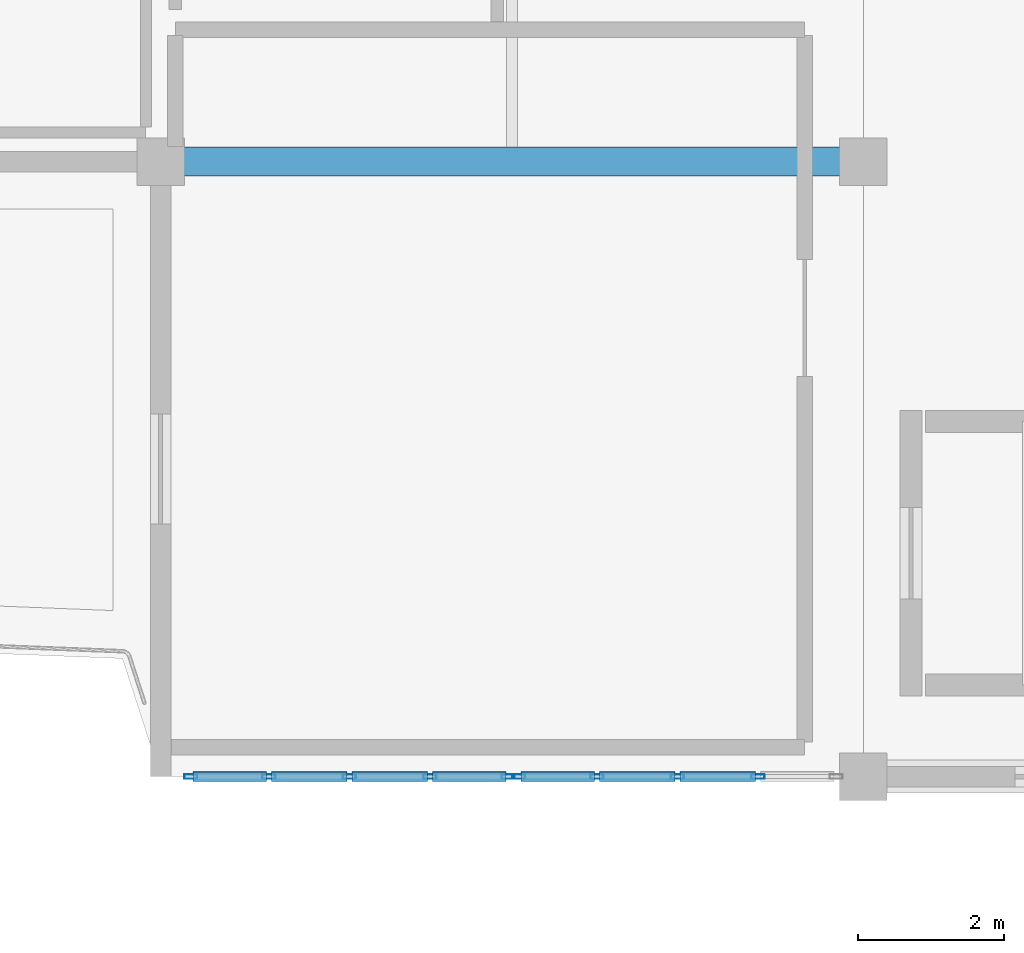
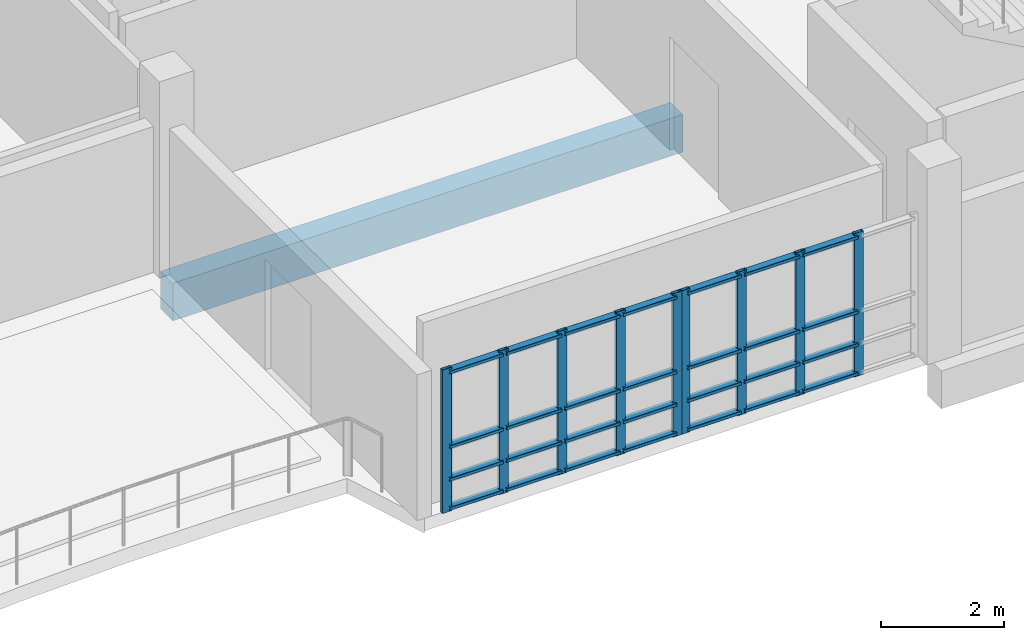
# One storey, part 4 of 25: 37 members, 1 beam, 2 elements without a shape of their own.
"""IFC4 building model written with IfcOpenShell, lengths in metres."""

from ifc_helpers import new_model, si_unit, direction, frame, origin, origin_2d, place, context, subcontext, project, spatial, rectangle, hollow_rectangle, extrude, material, layer, layer_set, material_profile, profile_set, type_object, element, aggregate, save


model = new_model("IFC4")

# Units and contexts
model_context = context("Model", 3, precision=1e-05, world=origin(), true_north=direction((0.0, 1.0)))
body_context = subcontext(model_context, "Body", "Model", "MODEL_VIEW")
ifc_project = project(units=[si_unit("LENGTHUNIT", "METRE"), si_unit("AREAUNIT", "SQUARE_METRE"), si_unit("VOLUMEUNIT", "CUBIC_METRE"), si_unit("PLANEANGLEUNIT", "RADIAN"), si_unit("MASSUNIT", "GRAM", prefix="KILO")], contexts=[model_context])

# Site, building, storey
site_placement = place(None, origin())
site = spatial("IfcSite", under=ifc_project, at=site_placement, CompositionType="ELEMENT")
building_placement = place(site_placement, origin())
building = spatial("IfcBuilding", under=site, at=building_placement, Name="Kisaragi Civic Commons", CompositionType="ELEMENT")
storey_placement = place(building_placement, frame((0.0, 0.0, 13.5)))
storey = spatial("IfcBuildingStorey", under=building, at=storey_placement, Name="L03", CompositionType="ELEMENT", Elevation=13.5)

# Curtain wall, members
ifc_material_1 = material(Name="Thermally broken anodized aluminium and low-E double glazing", Category="aluminium")
ifc_layer = layer(ifc_material_1, 0.179931640625, Name="Thermally broken anodized aluminium and low-E double glazing", Category="aluminium")
ifc_layer_set = layer_set([ifc_layer], Name="Thermally broken anodized aluminium and low-E double glazing")
curtain_wall_type = type_object("IfcCurtainWallType", Name="CW-01", PredefinedType="NOTDEFINED", material=ifc_layer_set)
curtain_wall_1_placement = place(storey_placement, origin())
curtain_wall_1 = element("IfcCurtainWall", 1, at=curtain_wall_1_placement, inside=storey, type_object=curtain_wall_type, Name="L03 curtain wall CW-01 CW-V4-L03-109", PredefinedType="NOTDEFINED")
ifc_material_profile_1 = material_profile(ifc_material_1, hollow_rectangle(XDim=0.06494140625, YDim=0.179931640625, WallThickness=0.00439453125, InnerFilletRadius=0.00439453125, OuterFilletRadius=0.009033203125, at=origin_2d()), Name="CWM-65x180x4.5", Category="aluminium")
ifc_profile_set_1 = profile_set([ifc_material_profile_1], Name="Thermally broken anodized aluminium and low-E double glazing")
member_type_1 = type_object("IfcMemberType", Name="CWM-02", PredefinedType="MULLION", material=ifc_profile_set_1)
member_1_placement = place(storey_placement, frame((122.159912109375, 96.0, 0.0), z_axis=(0.0, 0.0, 1.0), x_axis=(0.0, -1.0, 0.0)))
member_1 = element("IfcMember", 2, at=member_1_placement, type_object=member_type_1, Name="CW-01 mullion 2", PredefinedType="MULLION", context=body_context, shape_type="SweptSolid", body=[
    extrude(hollow_rectangle(XDim=0.06494140625, YDim=0.179931640625, WallThickness=0.00439453125, InnerFilletRadius=0.00439453125, OuterFilletRadius=0.009033203125, at=origin_2d()), origin(), (0.0, 0.0, 1.0), 2.85498046875),
])
member_2_placement = place(storey_placement, frame((121.06005859375, 96.0, 0.0), z_axis=(0.0, 0.0, 1.0), x_axis=(0.0, -1.0, 0.0)))
member_2 = element("IfcMember", 3, at=member_2_placement, type_object=member_type_1, Name="CW-01 mullion 3", PredefinedType="MULLION", context=body_context, shape_type="SweptSolid", body=[
    extrude(hollow_rectangle(XDim=0.06494140625, YDim=0.179931640625, WallThickness=0.00439453125, InnerFilletRadius=0.00439453125, OuterFilletRadius=0.009033203125, at=origin_2d()), origin(), (0.0, 0.0, 1.0), 2.85498046875),
])
member_3_placement = place(storey_placement, frame((119.9599609375, 96.0, 0.0), z_axis=(0.0, 0.0, 1.0), x_axis=(0.0, -1.0, 0.0)))
member_3 = element("IfcMember", 4, at=member_3_placement, type_object=member_type_1, Name="CW-01 mullion 4", PredefinedType="MULLION", context=body_context, shape_type="SweptSolid", body=[
    extrude(hollow_rectangle(XDim=0.06494140625, YDim=0.179931640625, WallThickness=0.00439453125, InnerFilletRadius=0.00439453125, OuterFilletRadius=0.009033203125, at=origin_2d()), origin(), (0.0, 0.0, 1.0), 2.85498046875),
])
member_4_placement = place(storey_placement, frame((118.892578125, 96.0, 0.0), z_axis=(0.0, 0.0, 1.0), x_axis=(0.0, -1.0, 0.0)))
member_4 = element("IfcMember", 5, at=member_4_placement, type_object=member_type_1, Name="CW-01 mullion 5", PredefinedType="MULLION", context=body_context, shape_type="SweptSolid", body=[
    extrude(hollow_rectangle(XDim=0.06494140625, YDim=0.179931640625, WallThickness=0.00439453125, InnerFilletRadius=0.00439453125, OuterFilletRadius=0.009033203125, at=origin_2d()), origin(), (0.0, 0.0, 1.0), 2.85498046875),
])

curtain_wall_2_placement = place(storey_placement, origin())
curtain_wall_2 = element("IfcCurtainWall", 6, at=curtain_wall_2_placement, inside=storey, type_object=curtain_wall_type, Name="L03 curtain wall CW-01 CW-V4-L03-110", PredefinedType="NOTDEFINED")
member_5_placement = place(storey_placement, frame((118.74755859375, 96.0, 0.0), z_axis=(0.0, 0.0, 1.0), x_axis=(0.0, -1.0, 0.0)))
member_5 = element("IfcMember", 7, at=member_5_placement, type_object=member_type_1, Name="CW-01 mullion 1", PredefinedType="MULLION", context=body_context, shape_type="SweptSolid", body=[
    extrude(hollow_rectangle(XDim=0.06494140625, YDim=0.179931640625, WallThickness=0.00439453125, InnerFilletRadius=0.00439453125, OuterFilletRadius=0.009033203125, at=origin_2d()), origin(), (0.0, 0.0, 1.0), 2.85498046875),
])
member_6_placement = place(storey_placement, frame((117.679931640625, 96.0, 0.0), z_axis=(0.0, 0.0, 1.0), x_axis=(0.0, -1.0, 0.0)))
member_6 = element("IfcMember", 8, at=member_6_placement, type_object=member_type_1, Name="CW-01 mullion 2", PredefinedType="MULLION", context=body_context, shape_type="SweptSolid", body=[
    extrude(hollow_rectangle(XDim=0.06494140625, YDim=0.179931640625, WallThickness=0.00439453125, InnerFilletRadius=0.00439453125, OuterFilletRadius=0.009033203125, at=origin_2d()), origin(), (0.0, 0.0, 1.0), 2.85498046875),
])
member_7_placement = place(storey_placement, frame((116.580078125, 96.0, 0.0), z_axis=(0.0, 0.0, 1.0), x_axis=(0.0, -1.0, 0.0)))
member_7 = element("IfcMember", 9, at=member_7_placement, type_object=member_type_1, Name="CW-01 mullion 3", PredefinedType="MULLION", context=body_context, shape_type="SweptSolid", body=[
    extrude(hollow_rectangle(XDim=0.06494140625, YDim=0.179931640625, WallThickness=0.00439453125, InnerFilletRadius=0.00439453125, OuterFilletRadius=0.009033203125, at=origin_2d()), origin(), (0.0, 0.0, 1.0), 2.85498046875),
])
member_8_placement = place(storey_placement, frame((115.47998046875, 96.0, 0.0), z_axis=(0.0, 0.0, 1.0), x_axis=(0.0, -1.0, 0.0)))
member_8 = element("IfcMember", 10, at=member_8_placement, type_object=member_type_1, Name="CW-01 mullion 4", PredefinedType="MULLION", context=body_context, shape_type="SweptSolid", body=[
    extrude(hollow_rectangle(XDim=0.06494140625, YDim=0.179931640625, WallThickness=0.00439453125, InnerFilletRadius=0.00439453125, OuterFilletRadius=0.009033203125, at=origin_2d()), origin(), (0.0, 0.0, 1.0), 2.85498046875),
])
member_9_placement = place(storey_placement, frame((114.41259765625, 96.0, 0.0), z_axis=(0.0, 0.0, 1.0), x_axis=(0.0, -1.0, 0.0)))
member_9 = element("IfcMember", 11, at=member_9_placement, type_object=member_type_1, Name="CW-01 mullion 5", PredefinedType="MULLION", context=body_context, shape_type="SweptSolid", body=[
    extrude(hollow_rectangle(XDim=0.06494140625, YDim=0.179931640625, WallThickness=0.00439453125, InnerFilletRadius=0.00439453125, OuterFilletRadius=0.009033203125, at=origin_2d()), origin(), (0.0, 0.0, 1.0), 2.85498046875),
])

# Member
ifc_material_profile_2 = material_profile(ifc_material_1, hollow_rectangle(XDim=0.139892578125, YDim=0.06494140625, WallThickness=0.00439453125, InnerFilletRadius=0.00439453125, OuterFilletRadius=0.009033203125, at=origin_2d()), Name="CWT-65x140x4.5", Category="aluminium")
ifc_profile_set_2 = profile_set([ifc_material_profile_2], Name="Thermally broken anodized aluminium and low-E double glazing")
member_type_2 = type_object("IfcMemberType", Name="CWT-02", PredefinedType="USERDEFINED", material=ifc_profile_set_2)
member_10_placement = place(storey_placement, frame((122.12744140625, 96.0, 0.070068359375), z_axis=(-1.0, 0.0, 0.0), x_axis=(0.0, -1.0, 0.0)))
member_10 = element("IfcMember", 12, at=member_10_placement, type_object=member_type_2, Name="CW-01 transom 2.1", ObjectType="TRANSOM", PredefinedType="USERDEFINED", context=body_context, shape_type="SweptSolid", body=[
    extrude(hollow_rectangle(XDim=0.139892578125, YDim=0.06494140625, WallThickness=0.00439453125, InnerFilletRadius=0.00439453125, OuterFilletRadius=0.009033203125, at=origin_2d()), origin(), (0.0, 0.0, 1.0), 1.034912109375),
])

member_11_placement = place(storey_placement, frame((122.12744140625, 96.0, 0.64990234375), z_axis=(-1.0, 0.0, 0.0), x_axis=(0.0, -1.0, 0.0)))
member_11 = element("IfcMember", 13, at=member_11_placement, type_object=member_type_2, Name="CW-01 transom 2.2", ObjectType="TRANSOM", PredefinedType="USERDEFINED", context=body_context, shape_type="SweptSolid", body=[
    extrude(hollow_rectangle(XDim=0.139892578125, YDim=0.06494140625, WallThickness=0.00439453125, InnerFilletRadius=0.00439453125, OuterFilletRadius=0.009033203125, at=origin_2d()), origin(), (0.0, 0.0, 1.0), 1.034912109375),
])

member_12_placement = place(storey_placement, frame((122.12744140625, 96.0, 1.300048828125), z_axis=(-1.0, 0.0, 0.0), x_axis=(0.0, -1.0, 0.0)))
member_12 = element("IfcMember", 14, at=member_12_placement, type_object=member_type_2, Name="CW-01 transom 2.3", ObjectType="TRANSOM", PredefinedType="USERDEFINED", context=body_context, shape_type="SweptSolid", body=[
    extrude(hollow_rectangle(XDim=0.139892578125, YDim=0.06494140625, WallThickness=0.00439453125, InnerFilletRadius=0.00439453125, OuterFilletRadius=0.009033203125, at=origin_2d()), origin(), (0.0, 0.0, 1.0), 1.034912109375),
])

member_13_placement = place(storey_placement, frame((122.12744140625, 96.0, 2.784912109375), z_axis=(-1.0, 0.0, 0.0), x_axis=(0.0, -1.0, 0.0)))
member_13 = element("IfcMember", 15, at=member_13_placement, type_object=member_type_2, Name="CW-01 transom 2.4", ObjectType="TRANSOM", PredefinedType="USERDEFINED", context=body_context, shape_type="SweptSolid", body=[
    extrude(hollow_rectangle(XDim=0.139892578125, YDim=0.06494140625, WallThickness=0.00439453125, InnerFilletRadius=0.00439453125, OuterFilletRadius=0.009033203125, at=origin_2d()), origin(), (0.0, 0.0, 1.0), 1.034912109375),
])

member_14_placement = place(storey_placement, frame((121.027587890625, 96.0, 0.070068359375), z_axis=(-1.0, 0.0, 0.0), x_axis=(0.0, -1.0, 0.0)))
member_14 = element("IfcMember", 16, at=member_14_placement, type_object=member_type_2, Name="CW-01 transom 3.1", ObjectType="TRANSOM", PredefinedType="USERDEFINED", context=body_context, shape_type="SweptSolid", body=[
    extrude(hollow_rectangle(XDim=0.139892578125, YDim=0.06494140625, WallThickness=0.00439453125, InnerFilletRadius=0.00439453125, OuterFilletRadius=0.009033203125, at=origin_2d()), origin(), (0.0, 0.0, 1.0), 1.03515625),
])

member_15_placement = place(storey_placement, frame((121.027587890625, 96.0, 0.64990234375), z_axis=(-1.0, 0.0, 0.0), x_axis=(0.0, -1.0, 0.0)))
member_15 = element("IfcMember", 17, at=member_15_placement, type_object=member_type_2, Name="CW-01 transom 3.2", ObjectType="TRANSOM", PredefinedType="USERDEFINED", context=body_context, shape_type="SweptSolid", body=[
    extrude(hollow_rectangle(XDim=0.139892578125, YDim=0.06494140625, WallThickness=0.00439453125, InnerFilletRadius=0.00439453125, OuterFilletRadius=0.009033203125, at=origin_2d()), origin(), (0.0, 0.0, 1.0), 1.03515625),
])

member_16_placement = place(storey_placement, frame((121.027587890625, 96.0, 1.300048828125), z_axis=(-1.0, 0.0, 0.0), x_axis=(0.0, -1.0, 0.0)))
member_16 = element("IfcMember", 18, at=member_16_placement, type_object=member_type_2, Name="CW-01 transom 3.3", ObjectType="TRANSOM", PredefinedType="USERDEFINED", context=body_context, shape_type="SweptSolid", body=[
    extrude(hollow_rectangle(XDim=0.139892578125, YDim=0.06494140625, WallThickness=0.00439453125, InnerFilletRadius=0.00439453125, OuterFilletRadius=0.009033203125, at=origin_2d()), origin(), (0.0, 0.0, 1.0), 1.03515625),
])

member_17_placement = place(storey_placement, frame((121.027587890625, 96.0, 2.784912109375), z_axis=(-1.0, 0.0, 0.0), x_axis=(0.0, -1.0, 0.0)))
member_17 = element("IfcMember", 19, at=member_17_placement, type_object=member_type_2, Name="CW-01 transom 3.4", ObjectType="TRANSOM", PredefinedType="USERDEFINED", context=body_context, shape_type="SweptSolid", body=[
    extrude(hollow_rectangle(XDim=0.139892578125, YDim=0.06494140625, WallThickness=0.00439453125, InnerFilletRadius=0.00439453125, OuterFilletRadius=0.009033203125, at=origin_2d()), origin(), (0.0, 0.0, 1.0), 1.03515625),
])

member_18_placement = place(storey_placement, frame((119.927490234375, 96.0, 0.070068359375), z_axis=(-1.0, 0.0, 0.0), x_axis=(0.0, -1.0, 0.0)))
member_18 = element("IfcMember", 20, at=member_18_placement, type_object=member_type_2, Name="CW-01 transom 4.1", ObjectType="TRANSOM", PredefinedType="USERDEFINED", context=body_context, shape_type="SweptSolid", body=[
    extrude(hollow_rectangle(XDim=0.139892578125, YDim=0.06494140625, WallThickness=0.00439453125, InnerFilletRadius=0.00439453125, OuterFilletRadius=0.009033203125, at=origin_2d()), origin(), (0.0, 0.0, 1.0), 1.00244140625),
])

member_19_placement = place(storey_placement, frame((119.927490234375, 96.0, 0.64990234375), z_axis=(-1.0, 0.0, 0.0), x_axis=(0.0, -1.0, 0.0)))
member_19 = element("IfcMember", 21, at=member_19_placement, type_object=member_type_2, Name="CW-01 transom 4.2", ObjectType="TRANSOM", PredefinedType="USERDEFINED", context=body_context, shape_type="SweptSolid", body=[
    extrude(hollow_rectangle(XDim=0.139892578125, YDim=0.06494140625, WallThickness=0.00439453125, InnerFilletRadius=0.00439453125, OuterFilletRadius=0.009033203125, at=origin_2d()), origin(), (0.0, 0.0, 1.0), 1.00244140625),
])

member_20_placement = place(storey_placement, frame((119.927490234375, 96.0, 1.300048828125), z_axis=(-1.0, 0.0, 0.0), x_axis=(0.0, -1.0, 0.0)))
member_20 = element("IfcMember", 22, at=member_20_placement, type_object=member_type_2, Name="CW-01 transom 4.3", ObjectType="TRANSOM", PredefinedType="USERDEFINED", context=body_context, shape_type="SweptSolid", body=[
    extrude(hollow_rectangle(XDim=0.139892578125, YDim=0.06494140625, WallThickness=0.00439453125, InnerFilletRadius=0.00439453125, OuterFilletRadius=0.009033203125, at=origin_2d()), origin(), (0.0, 0.0, 1.0), 1.00244140625),
])

member_21_placement = place(storey_placement, frame((119.927490234375, 96.0, 2.784912109375), z_axis=(-1.0, 0.0, 0.0), x_axis=(0.0, -1.0, 0.0)))
member_21 = element("IfcMember", 23, at=member_21_placement, type_object=member_type_2, Name="CW-01 transom 4.4", ObjectType="TRANSOM", PredefinedType="USERDEFINED", context=body_context, shape_type="SweptSolid", body=[
    extrude(hollow_rectangle(XDim=0.139892578125, YDim=0.06494140625, WallThickness=0.00439453125, InnerFilletRadius=0.00439453125, OuterFilletRadius=0.009033203125, at=origin_2d()), origin(), (0.0, 0.0, 1.0), 1.00244140625),
])

aggregate(curtain_wall_1, [member_1, member_2, member_3, member_4, member_10, member_11, member_12, member_13, member_14, member_15, member_16, member_17, member_18, member_19, member_20, member_21])

member_22_placement = place(storey_placement, frame((118.715087890625, 96.0, 0.070068359375), z_axis=(-1.0, 0.0, 0.0), x_axis=(0.0, -1.0, 0.0)))
member_22 = element("IfcMember", 24, at=member_22_placement, type_object=member_type_2, Name="CW-01 transom 1.1", ObjectType="TRANSOM", PredefinedType="USERDEFINED", context=body_context, shape_type="SweptSolid", body=[
    extrude(hollow_rectangle(XDim=0.139892578125, YDim=0.06494140625, WallThickness=0.00439453125, InnerFilletRadius=0.00439453125, OuterFilletRadius=0.009033203125, at=origin_2d()), origin(), (0.0, 0.0, 1.0), 1.002685546875),
])

member_23_placement = place(storey_placement, frame((118.715087890625, 96.0, 0.64990234375), z_axis=(-1.0, 0.0, 0.0), x_axis=(0.0, -1.0, 0.0)))
member_23 = element("IfcMember", 25, at=member_23_placement, type_object=member_type_2, Name="CW-01 transom 1.2", ObjectType="TRANSOM", PredefinedType="USERDEFINED", context=body_context, shape_type="SweptSolid", body=[
    extrude(hollow_rectangle(XDim=0.139892578125, YDim=0.06494140625, WallThickness=0.00439453125, InnerFilletRadius=0.00439453125, OuterFilletRadius=0.009033203125, at=origin_2d()), origin(), (0.0, 0.0, 1.0), 1.002685546875),
])

member_24_placement = place(storey_placement, frame((118.715087890625, 96.0, 1.300048828125), z_axis=(-1.0, 0.0, 0.0), x_axis=(0.0, -1.0, 0.0)))
member_24 = element("IfcMember", 26, at=member_24_placement, type_object=member_type_2, Name="CW-01 transom 1.3", ObjectType="TRANSOM", PredefinedType="USERDEFINED", context=body_context, shape_type="SweptSolid", body=[
    extrude(hollow_rectangle(XDim=0.139892578125, YDim=0.06494140625, WallThickness=0.00439453125, InnerFilletRadius=0.00439453125, OuterFilletRadius=0.009033203125, at=origin_2d()), origin(), (0.0, 0.0, 1.0), 1.002685546875),
])

member_25_placement = place(storey_placement, frame((118.715087890625, 96.0, 2.784912109375), z_axis=(-1.0, 0.0, 0.0), x_axis=(0.0, -1.0, 0.0)))
member_25 = element("IfcMember", 27, at=member_25_placement, type_object=member_type_2, Name="CW-01 transom 1.4", ObjectType="TRANSOM", PredefinedType="USERDEFINED", context=body_context, shape_type="SweptSolid", body=[
    extrude(hollow_rectangle(XDim=0.139892578125, YDim=0.06494140625, WallThickness=0.00439453125, InnerFilletRadius=0.00439453125, OuterFilletRadius=0.009033203125, at=origin_2d()), origin(), (0.0, 0.0, 1.0), 1.002685546875),
])

member_26_placement = place(storey_placement, frame((117.6474609375, 96.0, 0.070068359375), z_axis=(-1.0, 0.0, 0.0), x_axis=(0.0, -1.0, 0.0)))
member_26 = element("IfcMember", 28, at=member_26_placement, type_object=member_type_2, Name="CW-01 transom 2.1", ObjectType="TRANSOM", PredefinedType="USERDEFINED", context=body_context, shape_type="SweptSolid", body=[
    extrude(hollow_rectangle(XDim=0.139892578125, YDim=0.06494140625, WallThickness=0.00439453125, InnerFilletRadius=0.00439453125, OuterFilletRadius=0.009033203125, at=origin_2d()), origin(), (0.0, 0.0, 1.0), 1.034912109375),
])

member_27_placement = place(storey_placement, frame((117.6474609375, 96.0, 0.64990234375), z_axis=(-1.0, 0.0, 0.0), x_axis=(0.0, -1.0, 0.0)))
member_27 = element("IfcMember", 29, at=member_27_placement, type_object=member_type_2, Name="CW-01 transom 2.2", ObjectType="TRANSOM", PredefinedType="USERDEFINED", context=body_context, shape_type="SweptSolid", body=[
    extrude(hollow_rectangle(XDim=0.139892578125, YDim=0.06494140625, WallThickness=0.00439453125, InnerFilletRadius=0.00439453125, OuterFilletRadius=0.009033203125, at=origin_2d()), origin(), (0.0, 0.0, 1.0), 1.034912109375),
])

member_28_placement = place(storey_placement, frame((117.6474609375, 96.0, 1.300048828125), z_axis=(-1.0, 0.0, 0.0), x_axis=(0.0, -1.0, 0.0)))
member_28 = element("IfcMember", 30, at=member_28_placement, type_object=member_type_2, Name="CW-01 transom 2.3", ObjectType="TRANSOM", PredefinedType="USERDEFINED", context=body_context, shape_type="SweptSolid", body=[
    extrude(hollow_rectangle(XDim=0.139892578125, YDim=0.06494140625, WallThickness=0.00439453125, InnerFilletRadius=0.00439453125, OuterFilletRadius=0.009033203125, at=origin_2d()), origin(), (0.0, 0.0, 1.0), 1.034912109375),
])

member_29_placement = place(storey_placement, frame((117.6474609375, 96.0, 2.784912109375), z_axis=(-1.0, 0.0, 0.0), x_axis=(0.0, -1.0, 0.0)))
member_29 = element("IfcMember", 31, at=member_29_placement, type_object=member_type_2, Name="CW-01 transom 2.4", ObjectType="TRANSOM", PredefinedType="USERDEFINED", context=body_context, shape_type="SweptSolid", body=[
    extrude(hollow_rectangle(XDim=0.139892578125, YDim=0.06494140625, WallThickness=0.00439453125, InnerFilletRadius=0.00439453125, OuterFilletRadius=0.009033203125, at=origin_2d()), origin(), (0.0, 0.0, 1.0), 1.034912109375),
])

member_30_placement = place(storey_placement, frame((116.547607421875, 96.0, 0.070068359375), z_axis=(-1.0, 0.0, 0.0), x_axis=(0.0, -1.0, 0.0)))
member_30 = element("IfcMember", 32, at=member_30_placement, type_object=member_type_2, Name="CW-01 transom 3.1", ObjectType="TRANSOM", PredefinedType="USERDEFINED", context=body_context, shape_type="SweptSolid", body=[
    extrude(hollow_rectangle(XDim=0.139892578125, YDim=0.06494140625, WallThickness=0.00439453125, InnerFilletRadius=0.00439453125, OuterFilletRadius=0.009033203125, at=origin_2d()), origin(), (0.0, 0.0, 1.0), 1.03515625),
])

member_31_placement = place(storey_placement, frame((116.547607421875, 96.0, 0.64990234375), z_axis=(-1.0, 0.0, 0.0), x_axis=(0.0, -1.0, 0.0)))
member_31 = element("IfcMember", 33, at=member_31_placement, type_object=member_type_2, Name="CW-01 transom 3.2", ObjectType="TRANSOM", PredefinedType="USERDEFINED", context=body_context, shape_type="SweptSolid", body=[
    extrude(hollow_rectangle(XDim=0.139892578125, YDim=0.06494140625, WallThickness=0.00439453125, InnerFilletRadius=0.00439453125, OuterFilletRadius=0.009033203125, at=origin_2d()), origin(), (0.0, 0.0, 1.0), 1.03515625),
])

member_32_placement = place(storey_placement, frame((116.547607421875, 96.0, 1.300048828125), z_axis=(-1.0, 0.0, 0.0), x_axis=(0.0, -1.0, 0.0)))
member_32 = element("IfcMember", 34, at=member_32_placement, type_object=member_type_2, Name="CW-01 transom 3.3", ObjectType="TRANSOM", PredefinedType="USERDEFINED", context=body_context, shape_type="SweptSolid", body=[
    extrude(hollow_rectangle(XDim=0.139892578125, YDim=0.06494140625, WallThickness=0.00439453125, InnerFilletRadius=0.00439453125, OuterFilletRadius=0.009033203125, at=origin_2d()), origin(), (0.0, 0.0, 1.0), 1.03515625),
])

member_33_placement = place(storey_placement, frame((116.547607421875, 96.0, 2.784912109375), z_axis=(-1.0, 0.0, 0.0), x_axis=(0.0, -1.0, 0.0)))
member_33 = element("IfcMember", 35, at=member_33_placement, type_object=member_type_2, Name="CW-01 transom 3.4", ObjectType="TRANSOM", PredefinedType="USERDEFINED", context=body_context, shape_type="SweptSolid", body=[
    extrude(hollow_rectangle(XDim=0.139892578125, YDim=0.06494140625, WallThickness=0.00439453125, InnerFilletRadius=0.00439453125, OuterFilletRadius=0.009033203125, at=origin_2d()), origin(), (0.0, 0.0, 1.0), 1.03515625),
])

member_34_placement = place(storey_placement, frame((115.447509765625, 96.0, 0.070068359375), z_axis=(-1.0, 0.0, 0.0), x_axis=(0.0, -1.0, 0.0)))
member_34 = element("IfcMember", 36, at=member_34_placement, type_object=member_type_2, Name="CW-01 transom 4.1", ObjectType="TRANSOM", PredefinedType="USERDEFINED", context=body_context, shape_type="SweptSolid", body=[
    extrude(hollow_rectangle(XDim=0.139892578125, YDim=0.06494140625, WallThickness=0.00439453125, InnerFilletRadius=0.00439453125, OuterFilletRadius=0.009033203125, at=origin_2d()), origin(), (0.0, 0.0, 1.0), 1.00244140625),
])

member_35_placement = place(storey_placement, frame((115.447509765625, 96.0, 0.64990234375), z_axis=(-1.0, 0.0, 0.0), x_axis=(0.0, -1.0, 0.0)))
member_35 = element("IfcMember", 37, at=member_35_placement, type_object=member_type_2, Name="CW-01 transom 4.2", ObjectType="TRANSOM", PredefinedType="USERDEFINED", context=body_context, shape_type="SweptSolid", body=[
    extrude(hollow_rectangle(XDim=0.139892578125, YDim=0.06494140625, WallThickness=0.00439453125, InnerFilletRadius=0.00439453125, OuterFilletRadius=0.009033203125, at=origin_2d()), origin(), (0.0, 0.0, 1.0), 1.00244140625),
])

member_36_placement = place(storey_placement, frame((115.447509765625, 96.0, 1.300048828125), z_axis=(-1.0, 0.0, 0.0), x_axis=(0.0, -1.0, 0.0)))
member_36 = element("IfcMember", 38, at=member_36_placement, type_object=member_type_2, Name="CW-01 transom 4.3", ObjectType="TRANSOM", PredefinedType="USERDEFINED", context=body_context, shape_type="SweptSolid", body=[
    extrude(hollow_rectangle(XDim=0.139892578125, YDim=0.06494140625, WallThickness=0.00439453125, InnerFilletRadius=0.00439453125, OuterFilletRadius=0.009033203125, at=origin_2d()), origin(), (0.0, 0.0, 1.0), 1.00244140625),
])

member_37_placement = place(storey_placement, frame((115.447509765625, 96.0, 2.784912109375), z_axis=(-1.0, 0.0, 0.0), x_axis=(0.0, -1.0, 0.0)))
member_37 = element("IfcMember", 39, at=member_37_placement, type_object=member_type_2, Name="CW-01 transom 4.4", ObjectType="TRANSOM", PredefinedType="USERDEFINED", context=body_context, shape_type="SweptSolid", body=[
    extrude(hollow_rectangle(XDim=0.139892578125, YDim=0.06494140625, WallThickness=0.00439453125, InnerFilletRadius=0.00439453125, OuterFilletRadius=0.009033203125, at=origin_2d()), origin(), (0.0, 0.0, 1.0), 1.00244140625),
])

aggregate(curtain_wall_2, [member_5, member_6, member_7, member_8, member_9, member_22, member_23, member_24, member_25, member_26, member_27, member_28, member_29, member_30, member_31, member_32, member_33, member_34, member_35, member_36, member_37])

# Beam
ifc_material_2 = material(Name="Concrete Fc30", Category="concrete")
ifc_material_profile_3 = material_profile(ifc_material_2, rectangle(XDim=0.39990234375, YDim=0.75, at=origin_2d()), Name="RC-400x750", Category="concrete")
ifc_profile_set_3 = profile_set([ifc_material_profile_3], Name="Concrete Fc30")
beam_type = type_object("IfcBeamType", Name="G-04", PredefinedType="BEAM", material=ifc_profile_set_3)
beam_placement = place(storey_placement, frame((114.0, 104.39990234375, -0.669921875), z_axis=(1.0, 0.0, 0.0), x_axis=(0.0, 1.0, 0.0)))
element("IfcBeam", 40, at=beam_placement, inside=storey, type_object=beam_type, Name="L03 girder G-04 326", PredefinedType="BEAM", context=body_context, shape_type="SweptSolid", body=[
    extrude(rectangle(XDim=0.39990234375, YDim=0.75, at=origin_2d()), origin(), (0.0, 0.0, 1.0), 9.60009765625),
])

save(model, "model.ifc")
